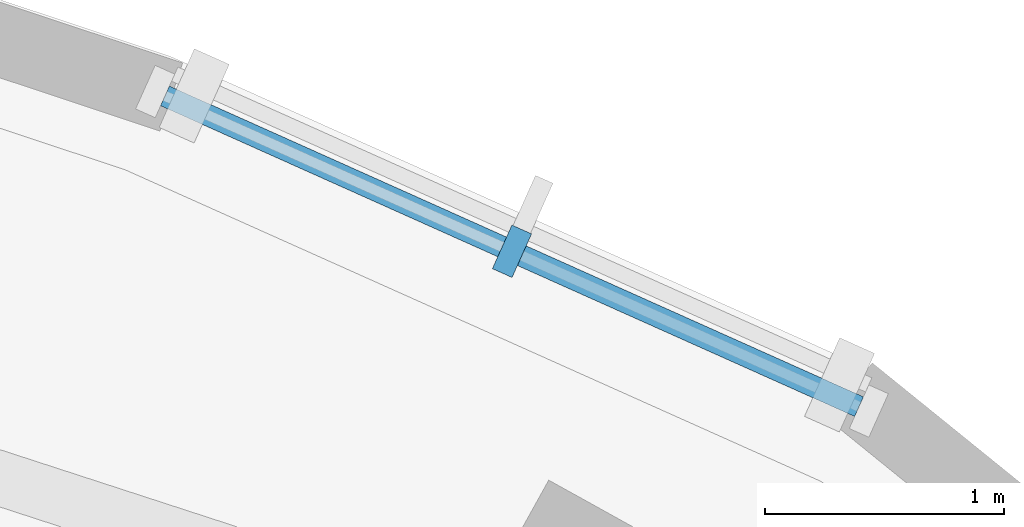
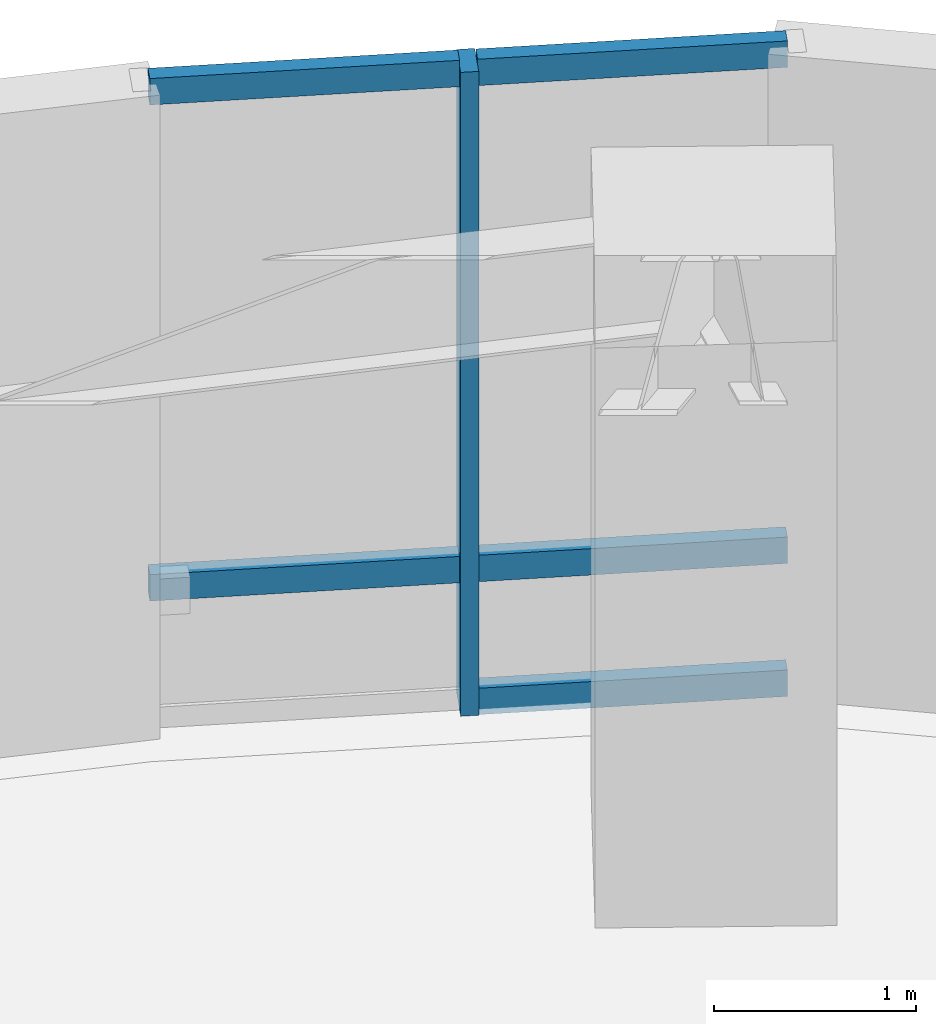
# One storey, part 6 of 14: 6 members, 1 element without a shape of its own.
"""IFC4 building model written with IfcOpenShell, lengths in metres."""

from ifc_helpers import new_model, si_unit, direction, frame, origin, origin_2d, place, context, subcontext, project, spatial, rectangle, extrude, material, layer, layer_set, material_profile, profile_set, type_object, element, aggregate, save


model = new_model("IFC4")

# Units and contexts
model_context = context("Model", 3, precision=1e-05, world=origin(), true_north=direction((0.0, 1.0)))
body_context = subcontext(model_context, "Body", "Model", "MODEL_VIEW")
ifc_project = project(units=[si_unit("LENGTHUNIT", "METRE"), si_unit("AREAUNIT", "SQUARE_METRE"), si_unit("VOLUMEUNIT", "CUBIC_METRE"), si_unit("PLANEANGLEUNIT", "RADIAN"), si_unit("MASSUNIT", "GRAM", prefix="KILO")], contexts=[model_context])

# Site, building, storey
site_placement = place(None, origin())
site = spatial("IfcSite", under=ifc_project, at=site_placement, CompositionType="ELEMENT")
building_placement = place(site_placement, origin())
building = spatial("IfcBuilding", under=site, at=building_placement, Name="Korentha Bioscience Tower", CompositionType="ELEMENT")
storey_placement = place(building_placement, frame((0.0, 0.0, 132.0)))
storey = spatial("IfcBuildingStorey", under=building, at=storey_placement, Name="L30", CompositionType="ELEMENT", Elevation=132.0)

# Curtain wall, members
ifc_material_1 = material(Name="Thermally Broken Aluminium Frame", Category="aluminium")
ifc_layer = layer(ifc_material_1, 0.219970703125, Name="Thermally Broken Aluminium Frame")
ifc_layer_set = layer_set([ifc_layer], Name="Thermally Broken Aluminium Frame (CW-T2)")
curtain_wall_type = type_object("IfcCurtainWallType", Name="Solar-Screened Lab Unitised Curtain Wall CW-T2", PredefinedType="USERDEFINED", material=ifc_layer_set)
curtain_wall_placement = place(storey_placement, origin())
curtain_wall = element("IfcCurtainWall", 1, at=curtain_wall_placement, inside=storey, type_object=curtain_wall_type, Name="L30 Curtain Wall 01", ObjectType="UNITISED", PredefinedType="USERDEFINED")
ifc_material_2 = material(Name="Anodised Aluminium 6063-T6", Category="aluminium")
ifc_material_profile_1 = material_profile(ifc_material_2, rectangle(XDim=0.090087890625, YDim=0.199951171875, at=origin_2d()), Name="Anodised Aluminium 6063-T6")
ifc_profile_set_1 = profile_set([ifc_material_profile_1], Name="Anodised Aluminium 6063-T6 (CW-MUL)")
member_type_1 = type_object("IfcMemberType", Name="Mullion RECT 90x200", PredefinedType="MULLION", material=ifc_profile_set_1)
member_1_placement = place(storey_placement, frame((48.871337890625, 45.72021484375, 0.0), z_axis=(0.0, 0.0, 1.0), x_axis=(-0.912686563127, 0.408660295952, 0.0)))
member_1 = element("IfcMember", 2, at=member_1_placement, type_object=member_type_1, Name="CW-L30-01 Mullion 2", PredefinedType="MULLION", context=body_context, shape_type="SweptSolid", body=[
    extrude(rectangle(XDim=0.090087890625, YDim=0.199951171875, at=origin_2d()), origin(), (0.0, 0.0, 1.0), 3.89990234375),
])
ifc_material_profile_2 = material_profile(ifc_material_2, rectangle(XDim=0.090087890625, YDim=0.159912109375, at=origin_2d()), Name="Anodised Aluminium 6063-T6")
ifc_profile_set_2 = profile_set([ifc_material_profile_2], Name="Anodised Aluminium 6063-T6 (CW-TRN)")
member_type_2 = type_object("IfcMemberType", Name="Transom RECT 90x160", PredefinedType="USERDEFINED", material=ifc_profile_set_2)
member_2_placement = place(storey_placement, frame((50.322998046875, 45.0703125, 0.044921875), z_axis=(-0.912753156119, 0.408511537162, 0.0), x_axis=(-0.408511537162, -0.912753156119, 0.0)))
member_2 = element("IfcMember", 3, at=member_2_placement, type_object=member_type_2, Name="CW-L30-01 Bay 1 Transom 1", ObjectType="TRANSOM", PredefinedType="USERDEFINED", context=body_context, shape_type="SweptSolid", body=[
    extrude(rectangle(XDim=0.090087890625, YDim=0.159912109375, at=origin_2d()), origin(), (0.0, 0.0, 1.0), 1.54541015625),
])
member_3_placement = place(storey_placement, frame((50.322998046875, 45.0703125, 0.85009765625), z_axis=(-0.912753156119, 0.408511537162, 0.0), x_axis=(-0.408511537162, -0.912753156119, 0.0)))
member_3 = element("IfcMember", 4, at=member_3_placement, type_object=member_type_2, Name="CW-L30-01 Bay 1 Transom 2", ObjectType="TRANSOM", PredefinedType="USERDEFINED", context=body_context, shape_type="SweptSolid", body=[
    extrude(rectangle(XDim=0.090087890625, YDim=0.159912109375, at=origin_2d()), origin(), (0.0, 0.0, 1.0), 1.54541015625),
])
member_4_placement = place(storey_placement, frame((50.322998046875, 45.0703125, 3.85498046875), z_axis=(-0.912753156119, 0.408511537162, 0.0), x_axis=(-0.408511537162, -0.912753156119, 0.0)))
member_4 = element("IfcMember", 5, at=member_4_placement, type_object=member_type_2, Name="CW-L30-01 Bay 1 Transom 3", ObjectType="TRANSOM", PredefinedType="USERDEFINED", context=body_context, shape_type="SweptSolid", body=[
    extrude(rectangle(XDim=0.090087890625, YDim=0.159912109375, at=origin_2d()), origin(), (0.0, 0.0, 1.0), 1.54541015625),
])
member_5_placement = place(storey_placement, frame((48.830322265625, 45.738525390625, 0.85009765625), z_axis=(-0.912667864607, 0.408702053962, 0.0), x_axis=(-0.408702053962, -0.912667864607, 0.0)))
member_5 = element("IfcMember", 6, at=member_5_placement, type_object=member_type_2, Name="CW-L30-01 Bay 2 Transom 2", ObjectType="TRANSOM", PredefinedType="USERDEFINED", context=body_context, shape_type="SweptSolid", body=[
    extrude(rectangle(XDim=0.090087890625, YDim=0.159912109375, at=origin_2d()), origin(), (0.0, 0.0, 1.0), 1.54541015625),
])
member_6_placement = place(storey_placement, frame((48.830322265625, 45.738525390625, 3.85498046875), z_axis=(-0.912667864607, 0.408702053962, 0.0), x_axis=(-0.408702053962, -0.912667864607, 0.0)))
member_6 = element("IfcMember", 7, at=member_6_placement, type_object=member_type_2, Name="CW-L30-01 Bay 2 Transom 3", ObjectType="TRANSOM", PredefinedType="USERDEFINED", context=body_context, shape_type="SweptSolid", body=[
    extrude(rectangle(XDim=0.090087890625, YDim=0.159912109375, at=origin_2d()), origin(), (0.0, 0.0, 1.0), 1.54541015625),
])
aggregate(curtain_wall, [member_1, member_2, member_3, member_4, member_5, member_6])

save(model, "model.ifc")
